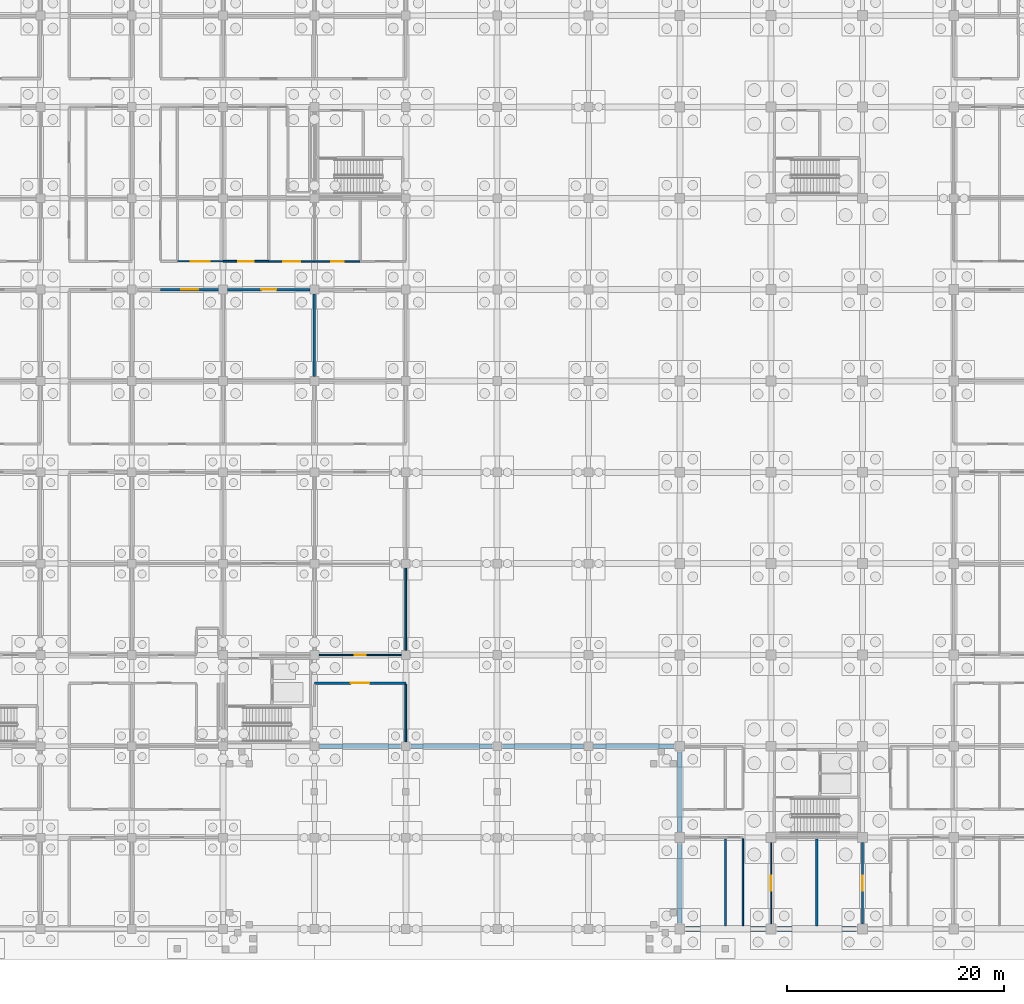
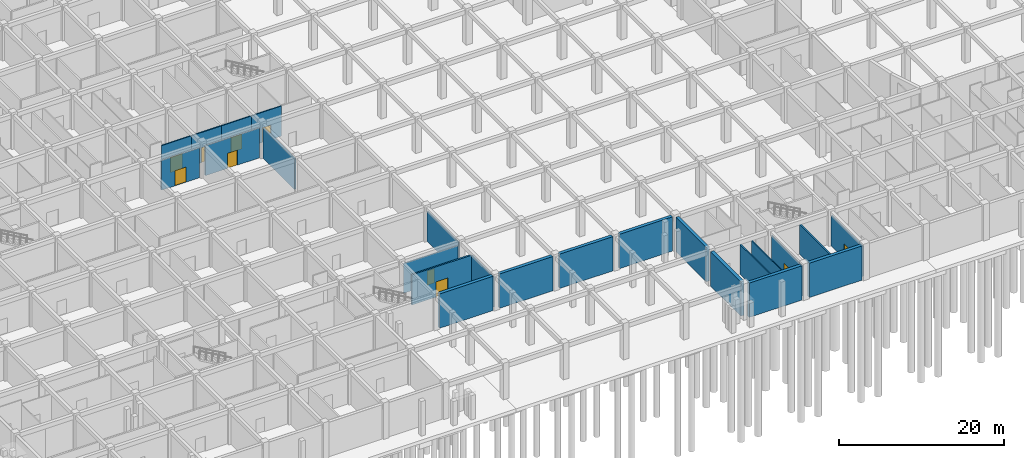
# One storey, part 32 of 65: 24 walls, 10 doors, 10 openings.
"""IFC4 building model written with IfcOpenShell, lengths in metres."""

from ifc_helpers import new_model, si_unit, direction, frame, frame_2d, origin, place, context, subcontext, project, spatial, rectangle, extrude, material, layer, layer_set, type_object, element, fill, save


model = new_model("IFC4")

# Units and contexts
model_context = context("Model", 3, precision=1e-05, world=origin(), true_north=direction((0.0, 1.0)))
body_context = subcontext(model_context, "Body", "Model", "MODEL_VIEW")
ifc_project = project(units=[si_unit("LENGTHUNIT", "METRE"), si_unit("AREAUNIT", "SQUARE_METRE"), si_unit("VOLUMEUNIT", "CUBIC_METRE"), si_unit("PLANEANGLEUNIT", "RADIAN"), si_unit("MASSUNIT", "GRAM", prefix="KILO")], contexts=[model_context])

# Site, building, storey
site_placement = place(None, origin())
site = spatial("IfcSite", under=ifc_project, at=site_placement, CompositionType="ELEMENT")
building_placement = place(site_placement, origin())
building = spatial("IfcBuilding", under=site, at=building_placement, Name="Bramfleet General Hospital", CompositionType="ELEMENT")
storey_placement = place(building_placement, frame((0.0, 0.0, -5.39990234375)))
storey = spatial("IfcBuildingStorey", under=building, at=storey_placement, Name="B1", CompositionType="ELEMENT", Elevation=-5.39990234375)

# Walls
ifc_material_1 = material(Name="Concrete C35/45", Category="concrete")
ifc_layer_1 = layer(ifc_material_1, 0.449951171875, Name="WT-EW-01")
ifc_layer_set_1 = layer_set([ifc_layer_1], Name="Concrete C35/45")
wall_type_1 = type_object("IfcWallType", Name="WT-EW-01", PredefinedType="SOLIDWALL", material=ifc_layer_set_1)
wall_1_placement = place(storey_placement, frame((108.675048828125, 0.0, 0.0), z_axis=(0.0, 0.0, 1.0), x_axis=(-1.0, 0.0, 0.0)))
element("IfcWall", 1, at=wall_1_placement, inside=storey, type_object=wall_type_1, Name="B1 Waterproof Retaining Wall 73", PredefinedType="SOLIDWALL", context=body_context, shape_type="SweptSolid", body=[
    extrude(rectangle(XDim=7.35009765625, YDim=0.449951171875, at=frame_2d((3.675048828125, 0.0))), origin(), (0.0, 0.0, 1.0), 5.079833984375),
])
wall_2_placement = place(storey_placement, frame((100.27490234375, 0.0, 0.0), z_axis=(0.0, 0.0, 1.0), x_axis=(-1.0, 0.0, 0.0)))
element("IfcWall", 2, at=wall_2_placement, inside=storey, type_object=wall_type_1, Name="B1 Waterproof Retaining Wall 74", PredefinedType="SOLIDWALL", context=body_context, shape_type="SweptSolid", body=[
    extrude(rectangle(XDim=7.349853515625, YDim=0.449951171875, at=frame_2d((3.6748046875, 0.0))), origin(), (0.0, 0.0, 1.0), 5.079833984375),
])
wall_3_placement = place(storey_placement, frame((92.39990234375, 0.52490234375, 0.0), z_axis=(0.0, 0.0, 1.0), x_axis=(0.0, 1.0, 0.0)))
element("IfcWall", 3, at=wall_3_placement, inside=storey, type_object=wall_type_1, Name="B1 Waterproof Retaining Wall 75", PredefinedType="SOLIDWALL", context=body_context, shape_type="SweptSolid", body=[
    extrude(rectangle(XDim=7.35009765625, YDim=0.449951171875, at=frame_2d((3.675048828125, 0.0))), origin(), (0.0, 0.0, 1.0), 5.079833984375),
])
wall_4_placement = place(storey_placement, frame((92.39990234375, 8.925048828125, 0.0), z_axis=(0.0, 0.0, 1.0), x_axis=(0.0, 1.0, 0.0)))
element("IfcWall", 4, at=wall_4_placement, inside=storey, type_object=wall_type_1, Name="B1 Waterproof Retaining Wall 76", PredefinedType="SOLIDWALL", context=body_context, shape_type="SweptSolid", body=[
    extrude(rectangle(XDim=7.349853515625, YDim=0.449951171875, at=frame_2d((3.6748046875, 0.0))), origin(), (0.0, 0.0, 1.0), 5.079833984375),
])
wall_5_placement = place(storey_placement, frame((91.875, 16.800048828125, 0.0), z_axis=(0.0, 0.0, 1.0), x_axis=(-1.0, 0.0, 0.0)))
element("IfcWall", 5, at=wall_5_placement, inside=storey, type_object=wall_type_1, Name="B1 Waterproof Retaining Wall 77", PredefinedType="SOLIDWALL", context=body_context, shape_type="SweptSolid", body=[
    extrude(rectangle(XDim=7.39990234375, YDim=0.449951171875, at=frame_2d((3.699951171875, 0.0))), origin(), (0.0, 0.0, 1.0), 5.079833984375),
])
for number, where, z_axis, x_axis, name in (
    (6, (83.52490234375, 16.800048828125, 0.0), (0.0, 0.0, 1.0), (-1.0, 0.0, 0.0), "B1 Waterproof Retaining Wall 78"),
    (7, (75.125, 16.800048828125, 0.0), (0.0, 0.0, 1.0), (-1.0, 0.0, 0.0), "B1 Waterproof Retaining Wall 79"),
):
    element("IfcWall", number, at=place(storey_placement, frame(where, z_axis=z_axis, x_axis=x_axis)), inside=storey, type_object=wall_type_1, Name=name, PredefinedType="SOLIDWALL", context=body_context, shape_type="SweptSolid", body=[
        extrude(rectangle(XDim=7.449951171875, YDim=0.449951171875, at=frame_2d((3.72509765625, 0.0))), origin(), (0.0, 0.0, 1.0), 5.079833984375),
    ])
wall_6_placement = place(storey_placement, frame((66.72509765625, 16.800048828125, 0.0), z_axis=(0.0, 0.0, 1.0), x_axis=(-1.0, 0.0, 0.0)))
element("IfcWall", 8, at=wall_6_placement, inside=storey, type_object=wall_type_1, Name="B1 Waterproof Retaining Wall 80", PredefinedType="SOLIDWALL", context=body_context, shape_type="SweptSolid", body=[
    extrude(rectangle(XDim=7.4501953125, YDim=0.449951171875, at=frame_2d((3.72509765625, 0.0))), origin(), (0.0, 0.0, 1.0), 5.079833984375),
])

# Wall, opening, door
ifc_layer_2 = layer(ifc_material_1, 0.219970703125, Name="WT-IW-01")
ifc_layer_set_2 = layer_set([ifc_layer_2], Name="Concrete C35/45")
wall_type_2 = type_object("IfcWallType", Name="WT-IW-01", PredefinedType="PARTITIONING", material=ifc_layer_set_2)
wall_7_placement = place(storey_placement, frame((58.800048828125, 22.60009765625, 0.0), z_axis=(0.0, 0.0, 1.0), x_axis=(1.0, 0.0, 0.0)))
wall_7 = element("IfcWall", 9, at=wall_7_placement, inside=storey, type_object=wall_type_2, Name="B1 Interior Partition IW-B1-0085", PredefinedType="PARTITIONING", context=body_context, shape_type="SweptSolid", body=[
    extrude(rectangle(XDim=8.39990234375, YDim=0.219970703125, at=frame_2d((4.199951171875, 0.0))), origin(), (0.0, 0.0, 1.0), 4.469970703125),
])
opening_1_placement = place(wall_7_placement, frame((3.35009765625, 0.0, 0.0)))
opening_1 = element("IfcOpeningElement", 10, at=opening_1_placement, cuts=wall_7, Name="Opening D0295", PredefinedType="OPENING", context=body_context, shape_type="SweptSolid", body=[
    extrude(rectangle(XDim=1.699951171875, YDim=2.25, at=frame_2d((0.85009765625, 1.125))), frame((0.0, 0.119873046875, 0.0), z_axis=(0.0, -1.0, 0.0), x_axis=(1.0, 0.0, 0.0)), (0.0, 0.0, 1.0), 0.239990234375),
])
ifc_material_2 = material(Name="Stainless steel and acoustic timber leaf", Category="steel")
door_type_1 = type_object("IfcDoorType", Name="DR-D-07", OperationType="NOTDEFINED", PredefinedType="DOOR", material=ifc_material_2)
door_1_placement = place(opening_1_placement, origin())
door_1 = element("IfcDoor", 11, at=door_1_placement, inside=storey, type_object=door_type_1, Name="Hospital Pharmacy Clean Preparation B1-0702 Door D0295", OperationType="DOUBLE_SWING_RIGHT", OverallHeight=2.25, OverallWidth=1.699951171875, PredefinedType="DOOR", context=body_context, shape_type="SweptSolid", body=[
    extrude(rectangle(XDim=1.699951171875, YDim=2.25, at=frame_2d((0.85009765625, 1.125))), frame((0.0, 0.02490234375, 0.0), z_axis=(0.0, -1.0, 0.0), x_axis=(1.0, 0.0, 0.0)), (0.0, 0.0, 1.0), 0.050048828125),
])
fill(opening_1, door_1)

wall_8_placement = place(storey_placement, frame((44.64990234375, 58.800048828125, 0.0), z_axis=(0.0, 0.0, 1.0), x_axis=(1.0, 0.0, 0.0)))
wall_8 = element("IfcWall", 12, at=wall_8_placement, inside=storey, type_object=wall_type_2, Name="B1 Interior Partition IW-B1-0157", PredefinedType="PARTITIONING", context=body_context, shape_type="SweptSolid", body=[
    extrude(rectangle(XDim=5.35498046875, YDim=0.219970703125, at=frame_2d((2.677490234375, 0.0))), origin(), (0.0, 0.0, 1.0), 4.419921875),
])
opening_2_placement = place(wall_8_placement, frame((1.907470703125, 0.0, 0.0)))
opening_2 = element("IfcOpeningElement", 13, at=opening_2_placement, cuts=wall_8, Name="Opening D0273", PredefinedType="OPENING", context=body_context, shape_type="SweptSolid", body=[
    extrude(rectangle(XDim=1.5400390625, YDim=2.239990234375, at=frame_2d((0.77001953125, 1.1201171875))), frame((0.0, 0.119873046875, 0.0), z_axis=(0.0, -1.0, 0.0), x_axis=(1.0, 0.0, 0.0)), (0.0, 0.0, 1.0), 0.239990234375),
])
door_type_2 = type_object("IfcDoorType", Name="DR-D-17", OperationType="NOTDEFINED", PredefinedType="DOOR", material=ifc_material_2)
door_2_placement = place(opening_2_placement, origin())
door_2 = element("IfcDoor", 14, at=door_2_placement, inside=storey, type_object=door_type_2, Name="Central Sterile Supply Room B1-0506 Door D0273", OperationType="SINGLE_SWING_RIGHT", OverallHeight=2.239990234375, OverallWidth=1.5400390625, PredefinedType="DOOR", context=body_context, shape_type="SweptSolid", body=[
    extrude(rectangle(XDim=1.5400390625, YDim=2.239990234375, at=frame_2d((0.77001953125, 1.1201171875))), frame((0.0, 0.02490234375, 0.0), z_axis=(0.0, -1.0, 0.0), x_axis=(1.0, 0.0, 0.0)), (0.0, 0.0, 1.0), 0.050048828125),
])
fill(opening_2, door_2)

wall_9_placement = place(storey_placement, frame((50.794921875, 58.800048828125, 0.0), z_axis=(0.0, 0.0, 1.0), x_axis=(1.0, 0.0, 0.0)))
wall_9 = element("IfcWall", 15, at=wall_9_placement, inside=storey, type_object=wall_type_2, Name="B1 Interior Partition IW-B1-0158", PredefinedType="PARTITIONING", context=body_context, shape_type="SweptSolid", body=[
    extrude(rectangle(XDim=7.610107421875, YDim=0.219970703125, at=frame_2d((3.80517578125, 0.0))), origin(), (0.0, 0.0, 1.0), 4.419921875),
])
opening_3_placement = place(wall_9_placement, frame((3.114990234375, 0.0, 0.0)))
opening_3 = element("IfcOpeningElement", 16, at=opening_3_placement, cuts=wall_9, Name="Opening D0286", PredefinedType="OPENING", context=body_context, shape_type="SweptSolid", body=[
    extrude(rectangle(XDim=1.3798828125, YDim=2.219970703125, at=frame_2d((0.68994140625, 1.10986328125))), frame((0.0, 0.119873046875, 0.0), z_axis=(0.0, -1.0, 0.0), x_axis=(1.0, 0.0, 0.0)), (0.0, 0.0, 1.0), 0.239990234375),
])
door_type_3 = type_object("IfcDoorType", Name="DR-D-30", OperationType="NOTDEFINED", PredefinedType="DOOR", material=ifc_material_2)
door_3_placement = place(opening_3_placement, origin())
door_3 = element("IfcDoor", 17, at=door_3_placement, inside=storey, type_object=door_type_3, Name="Central Sterile Supply Room B1-0606 Door D0286", OperationType="SINGLE_SWING_LEFT", OverallHeight=2.219970703125, OverallWidth=1.3798828125, PredefinedType="DOOR", context=body_context, shape_type="SweptSolid", body=[
    extrude(rectangle(XDim=1.3798828125, YDim=2.219970703125, at=frame_2d((0.68994140625, 1.10986328125))), frame((0.0, 0.02490234375, 0.0), z_axis=(0.0, -1.0, 0.0), x_axis=(1.0, 0.0, 0.0)), (0.0, 0.0, 1.0), 0.050048828125),
])
fill(opening_3, door_3)

# Walls
wall_10_placement = place(storey_placement, frame((58.800048828125, 50.794921875, 0.0), z_axis=(0.0, 0.0, 1.0), x_axis=(0.0, 1.0, 0.0)))
element("IfcWall", 18, at=wall_10_placement, inside=storey, type_object=wall_type_2, Name="B1 Interior Partition IW-B1-0465", PredefinedType="PARTITIONING", context=body_context, shape_type="SweptSolid", body=[
    extrude(rectangle(XDim=7.610107421875, YDim=0.219970703125, at=frame_2d((3.80517578125, 0.0))), origin(), (0.0, 0.0, 1.0), 4.469970703125),
])
ifc_layer_3 = layer(ifc_material_1, 0.205078125, Name="WT-IW-02")
ifc_layer_set_3 = layer_set([ifc_layer_3], Name="Concrete C35/45")
wall_type_3 = type_object("IfcWallType", Name="WT-IW-02", PredefinedType="PARTITIONING", material=ifc_layer_set_3)
wall_11_placement = place(storey_placement, frame((105.0, 0.280029296875, 0.0), z_axis=(0.0, 0.0, 1.0), x_axis=(0.0, 1.0, 0.0)))
element("IfcWall", 19, at=wall_11_placement, inside=storey, type_object=wall_type_3, Name="B1 Interior Partition IW-B1-0506", PredefinedType="PARTITIONING", context=body_context, shape_type="SweptSolid", body=[
    extrude(rectangle(XDim=8.0048828125, YDim=0.205078125, at=frame_2d((4.00244140625, 0.0))), origin(), (0.0, 0.0, 1.0), 4.419921875),
])
ifc_layer_4 = layer(ifc_material_1, 0.18994140625, Name="WT-IW-03")
ifc_layer_set_4 = layer_set([ifc_layer_4], Name="Concrete C35/45")
wall_type_4 = type_object("IfcWallType", Name="WT-IW-03", PredefinedType="PARTITIONING", material=ifc_layer_set_4)
wall_12_placement = place(storey_placement, frame((96.60009765625, 0.280029296875, 0.0), z_axis=(0.0, 0.0, 1.0), x_axis=(0.0, 1.0, 0.0)))
element("IfcWall", 20, at=wall_12_placement, inside=storey, type_object=wall_type_4, Name="B1 Interior Partition IW-B1-0495", PredefinedType="PARTITIONING", context=body_context, shape_type="SweptSolid", body=[
    extrude(rectangle(XDim=8.0048828125, YDim=0.18994140625, at=frame_2d((4.00244140625, 0.0))), origin(), (0.0, 0.0, 1.0), 4.419921875),
])

# Wall, opening, door
ifc_layer_5 = layer(ifc_material_1, 0.179931640625, Name="WT-IW-04")
ifc_layer_set_5 = layer_set([ifc_layer_5], Name="Concrete C35/45")
wall_type_5 = type_object("IfcWallType", Name="WT-IW-04", PredefinedType="PARTITIONING", material=ifc_layer_set_5)
wall_13_placement = place(storey_placement, frame((109.199951171875, 0.445068359375, 0.0), z_axis=(0.0, 0.0, 1.0), x_axis=(0.0, 1.0, 0.0)))
wall_13 = element("IfcWall", 21, at=wall_13_placement, inside=storey, type_object=wall_type_5, Name="B1 Interior Partition IW-B1-0508", PredefinedType="PARTITIONING", context=body_context, shape_type="SweptSolid", body=[
    extrude(rectangle(XDim=7.510009765625, YDim=0.179931640625, at=frame_2d((3.7548828125, 0.0))), origin(), (0.0, 0.0, 1.0), 4.469970703125),
])
opening_4_placement = place(wall_13_placement, frame((3.080078125, 0.0, 0.0)))
opening_4 = element("IfcOpeningElement", 22, at=opening_4_placement, cuts=wall_13, Name="Opening D0322", PredefinedType="OPENING", context=body_context, shape_type="SweptSolid", body=[
    extrude(rectangle(XDim=1.35009765625, YDim=2.199951171875, at=frame_2d((0.675048828125, 1.10009765625))), frame((0.0, 0.099853515625, 0.0), z_axis=(0.0, -1.0, 0.0), x_axis=(1.0, 0.0, 0.0)), (0.0, 0.0, 1.0), 0.199951171875),
])
door_type_4 = type_object("IfcDoorType", Name="DR-D-02", OperationType="NOTDEFINED", PredefinedType="DOOR", material=ifc_material_2)
door_4_placement = place(opening_4_placement, origin())
door_4 = element("IfcDoor", 23, at=door_4_placement, inside=storey, type_object=door_type_4, Name="Clinical Engineering Workshop B1-1200 Door D0322", OperationType="SINGLE_SWING_LEFT", OverallHeight=2.199951171875, OverallWidth=1.35009765625, PredefinedType="DOOR", context=body_context, shape_type="SweptSolid", body=[
    extrude(rectangle(XDim=1.35009765625, YDim=2.199951171875, at=frame_2d((0.675048828125, 1.10009765625))), frame((0.0, 0.02490234375, 0.0), z_axis=(0.0, -1.0, 0.0), x_axis=(1.0, 0.0, 0.0)), (0.0, 0.0, 1.0), 0.050048828125),
])
fill(opening_4, door_4)

ifc_material_3 = material(Name="Gypsum plasterboard on acoustic steel studs", Category="steel")
ifc_layer_6 = layer(ifc_material_3, 0.169921875, Name="WT-IW-05")
ifc_layer_set_6 = layer_set([ifc_layer_6], Name="Gypsum plasterboard on acoustic steel studs")
wall_type_6 = type_object("IfcWallType", Name="WT-IW-05", PredefinedType="PARTITIONING", material=ifc_layer_set_6)
wall_14_placement = place(storey_placement, frame((46.199951171875, 61.39990234375, 0.0), z_axis=(0.0, 0.0, 1.0), x_axis=(1.0, 0.0, 0.0)))
wall_14 = element("IfcWall", 24, at=wall_14_placement, inside=storey, type_object=wall_type_6, Name="B1 Interior Partition IW-B1-0173", PredefinedType="PARTITIONING", context=body_context, shape_type="SweptSolid", body=[
    extrude(rectangle(XDim=4.199951171875, YDim=0.169921875, at=frame_2d((2.10009765625, 0.0))), origin(), (0.0, 0.0, 1.0), 4.469970703125),
])
opening_5_placement = place(wall_14_placement, frame((1.22998046875, 0.0, 0.0)))
opening_5 = element("IfcOpeningElement", 25, at=opening_5_placement, cuts=wall_14, Name="Opening D0275", PredefinedType="OPENING", context=body_context, shape_type="SweptSolid", body=[
    extrude(rectangle(XDim=1.739990234375, YDim=2.239990234375, at=frame_2d((0.8701171875, 1.1201171875))), frame((0.0, 0.094970703125, 0.0), z_axis=(0.0, -1.0, 0.0), x_axis=(1.0, 0.0, 0.0)), (0.0, 0.0, 1.0), 0.18994140625),
])
door_type_5 = type_object("IfcDoorType", Name="DR-D-19", OperationType="NOTDEFINED", PredefinedType="DOOR", material=ifc_material_2)
door_5_placement = place(opening_5_placement, origin())
door_5 = element("IfcDoor", 26, at=door_5_placement, inside=storey, type_object=door_type_5, Name="Clinical Engineering Workshop B1-0507 Door D0275", OperationType="DOUBLE_SWING_RIGHT", OverallHeight=2.239990234375, OverallWidth=1.739990234375, PredefinedType="DOOR", context=body_context, shape_type="SweptSolid", body=[
    extrude(rectangle(XDim=1.739990234375, YDim=2.239990234375, at=frame_2d((0.8701171875, 1.1201171875))), frame((0.0, 0.02490234375, 0.0), z_axis=(0.0, -1.0, 0.0), x_axis=(1.0, 0.0, 0.0)), (0.0, 0.0, 1.0), 0.050048828125),
])
fill(opening_5, door_5)

ifc_layer_7 = layer(ifc_material_3, 0.159912109375, Name="WT-IW-06")
ifc_layer_set_7 = layer_set([ifc_layer_7], Name="Gypsum plasterboard on acoustic steel studs")
wall_type_7 = type_object("IfcWallType", Name="WT-IW-06", PredefinedType="PARTITIONING", material=ifc_layer_set_7)
wall_15_placement = place(storey_placement, frame((50.39990234375, 61.39990234375, 0.0), z_axis=(0.0, 0.0, 1.0), x_axis=(1.0, 0.0, 0.0)))
wall_15 = element("IfcWall", 27, at=wall_15_placement, inside=storey, type_object=wall_type_7, Name="B1 Interior Partition IW-B1-0174", PredefinedType="PARTITIONING", context=body_context, shape_type="SweptSolid", body=[
    extrude(rectangle(XDim=4.2001953125, YDim=0.159912109375, at=frame_2d((2.10009765625, 0.0))), origin(), (0.0, 0.0, 1.0), 4.469970703125),
])
opening_6_placement = place(wall_15_placement, frame((1.389892578125, 0.0, 0.0)))
opening_6 = element("IfcOpeningElement", 28, at=opening_6_placement, cuts=wall_15, Name="Opening D0287", PredefinedType="OPENING", context=body_context, shape_type="SweptSolid", body=[
    extrude(rectangle(XDim=1.419921875, YDim=2.219970703125, at=frame_2d((0.7099609375, 1.10986328125))), frame((0.0, 0.08984375, 0.0), z_axis=(0.0, -1.0, 0.0), x_axis=(1.0, 0.0, 0.0)), (0.0, 0.0, 1.0), 0.179931640625),
])
door_type_6 = type_object("IfcDoorType", Name="DR-D-31", OperationType="NOTDEFINED", PredefinedType="DOOR", material=ifc_material_2)
door_6_placement = place(opening_6_placement, origin())
door_6 = element("IfcDoor", 29, at=door_6_placement, inside=storey, type_object=door_type_6, Name="Clean Medical Supply Store B1-0607 Door D0287", OperationType="SINGLE_SWING_RIGHT", OverallHeight=2.219970703125, OverallWidth=1.419921875, PredefinedType="DOOR", context=body_context, shape_type="SweptSolid", body=[
    extrude(rectangle(XDim=1.419921875, YDim=2.219970703125, at=frame_2d((0.7099609375, 1.10986328125))), frame((0.0, 0.02490234375, 0.0), z_axis=(0.0, -1.0, 0.0), x_axis=(1.0, 0.0, 0.0)), (0.0, 0.0, 1.0), 0.050048828125),
])
fill(opening_6, door_6)

# Wall
wall_16_placement = place(storey_placement, frame((67.199951171875, 17.195068359375, 0.0), z_axis=(0.0, 0.0, 1.0), x_axis=(0.0, 1.0, 0.0)))
element("IfcWall", 30, at=wall_16_placement, inside=storey, type_object=wall_type_7, Name="B1 Interior Partition IW-B1-0474", PredefinedType="PARTITIONING", context=body_context, shape_type="SweptSolid", body=[
    extrude(rectangle(XDim=5.2900390625, YDim=0.159912109375, at=frame_2d((2.64501953125, 0.0))), origin(), (0.0, 0.0, 1.0), 4.469970703125),
])

# Wall, opening, door
ifc_layer_8 = layer(ifc_material_3, 0.14990234375, Name="WT-IW-07")
ifc_layer_set_8 = layer_set([ifc_layer_8], Name="Gypsum plasterboard on acoustic steel studs")
wall_type_8 = type_object("IfcWallType", Name="WT-IW-07", PredefinedType="PARTITIONING", material=ifc_layer_set_8)
wall_17_placement = place(storey_placement, frame((54.60009765625, 61.39990234375, 0.0), z_axis=(0.0, 0.0, 1.0), x_axis=(1.0, 0.0, 0.0)))
wall_17 = element("IfcWall", 31, at=wall_17_placement, inside=storey, type_object=wall_type_8, Name="B1 Interior Partition IW-B1-0175", PredefinedType="PARTITIONING", context=body_context, shape_type="SweptSolid", body=[
    extrude(rectangle(XDim=4.199951171875, YDim=0.14990234375, at=frame_2d((2.10009765625, 0.0))), origin(), (0.0, 0.0, 1.0), 4.469970703125),
])
opening_7_placement = place(wall_17_placement, frame((1.31005859375, 0.0, 0.0)))
opening_7 = element("IfcOpeningElement", 32, at=opening_7_placement, cuts=wall_17, Name="Opening D0288", PredefinedType="OPENING", context=body_context, shape_type="SweptSolid", body=[
    extrude(rectangle(XDim=1.580078125, YDim=2.219970703125, at=frame_2d((0.7900390625, 1.10986328125))), frame((0.0, 0.0849609375, 0.0), z_axis=(0.0, -1.0, 0.0), x_axis=(1.0, 0.0, 0.0)), (0.0, 0.0, 1.0), 0.169921875),
])
door_type_7 = type_object("IfcDoorType", Name="DR-D-32", OperationType="NOTDEFINED", PredefinedType="DOOR", material=ifc_material_2)
door_7_placement = place(opening_7_placement, origin())
door_7 = element("IfcDoor", 33, at=door_7_placement, inside=storey, type_object=door_type_7, Name="Clinical Engineering Workshop B1-0607 Door D0288", OperationType="DOUBLE_SWING_LEFT", OverallHeight=2.219970703125, OverallWidth=1.580078125, PredefinedType="DOOR", context=body_context, shape_type="SweptSolid", body=[
    extrude(rectangle(XDim=1.580078125, YDim=2.219970703125, at=frame_2d((0.7900390625, 1.10986328125))), frame((0.0, 0.02490234375, 0.0), z_axis=(0.0, -1.0, 0.0), x_axis=(1.0, 0.0, 0.0)), (0.0, 0.0, 1.0), 0.050048828125),
])
fill(opening_7, door_7)

# Walls
wall_18_placement = place(storey_placement, frame((67.199951171875, 25.594970703125, 0.0), z_axis=(0.0, 0.0, 1.0), x_axis=(0.0, 1.0, 0.0)))
element("IfcWall", 34, at=wall_18_placement, inside=storey, type_object=wall_type_8, Name="B1 Interior Partition IW-B1-0475", PredefinedType="PARTITIONING", context=body_context, shape_type="SweptSolid", body=[
    extrude(rectangle(XDim=7.610107421875, YDim=0.14990234375, at=frame_2d((3.80517578125, 0.0))), origin(), (0.0, 0.0, 1.0), 4.469970703125),
])
wall_19_placement = place(storey_placement, frame((98.199951171875, 0.280029296875, 0.0), z_axis=(0.0, 0.0, 1.0), x_axis=(0.0, 1.0, 0.0)))
element("IfcWall", 35, at=wall_19_placement, inside=storey, type_object=wall_type_8, Name="B1 Interior Partition IW-B1-0499", PredefinedType="PARTITIONING", context=body_context, shape_type="SweptSolid", body=[
    extrude(rectangle(XDim=8.0048828125, YDim=0.14990234375, at=frame_2d((4.00244140625, 0.0))), origin(), (0.0, 0.0, 1.0), 4.419921875),
])

# Wall, opening, door
ifc_layer_9 = layer(ifc_material_3, 0.139892578125, Name="WT-IW-08")
ifc_layer_set_9 = layer_set([ifc_layer_9], Name="Gypsum plasterboard on acoustic steel studs")
wall_type_9 = type_object("IfcWallType", Name="WT-IW-08", PredefinedType="PARTITIONING", material=ifc_layer_set_9)
wall_20_placement = place(storey_placement, frame((58.800048828125, 61.39990234375, 0.0), z_axis=(0.0, 0.0, 1.0), x_axis=(1.0, 0.0, 0.0)))
wall_20 = element("IfcWall", 36, at=wall_20_placement, inside=storey, type_object=wall_type_9, Name="B1 Interior Partition IW-B1-0176", PredefinedType="PARTITIONING", context=body_context, shape_type="SweptSolid", body=[
    extrude(rectangle(XDim=4.199951171875, YDim=0.139892578125, at=frame_2d((2.10009765625, 0.0))), origin(), (0.0, 0.0, 1.0), 4.469970703125),
])
opening_8_placement = place(wall_20_placement, frame((1.52490234375, 0.0, 0.0)))
opening_8 = element("IfcOpeningElement", 37, at=opening_8_placement, cuts=wall_20, Name="Opening D0300", PredefinedType="OPENING", context=body_context, shape_type="SweptSolid", body=[
    extrude(rectangle(XDim=1.14990234375, YDim=2.14990234375, at=frame_2d((0.574951171875, 1.074951171875))), frame((0.0, 0.079833984375, 0.0), z_axis=(0.0, -1.0, 0.0), x_axis=(1.0, 0.0, 0.0)), (0.0, 0.0, 1.0), 0.159912109375),
])
door_type_8 = type_object("IfcDoorType", Name="DR-D-12", OperationType="NOTDEFINED", PredefinedType="DOOR", material=ifc_material_2)
door_8_placement = place(opening_8_placement, origin())
door_8 = element("IfcDoor", 38, at=door_8_placement, inside=storey, type_object=door_type_8, Name="Clean Medical Supply Store B1-0707 Door D0300", OperationType="SINGLE_SWING_LEFT", OverallHeight=2.14990234375, OverallWidth=1.14990234375, PredefinedType="DOOR", context=body_context, shape_type="SweptSolid", body=[
    extrude(rectangle(XDim=1.14990234375, YDim=2.14990234375, at=frame_2d((0.574951171875, 1.074951171875))), frame((0.0, 0.02490234375, 0.0), z_axis=(0.0, -1.0, 0.0), x_axis=(1.0, 0.0, 0.0)), (0.0, 0.0, 1.0), 0.050048828125),
])
fill(opening_8, door_8)

ifc_layer_10 = layer(ifc_material_3, 0.112060546875, Name="WT-IW-11")
ifc_layer_set_10 = layer_set([ifc_layer_10], Name="Gypsum plasterboard on acoustic steel studs")
wall_type_10 = type_object("IfcWallType", Name="WT-IW-11", PredefinedType="PARTITIONING", material=ifc_layer_set_10)
wall_21_placement = place(storey_placement, frame((59.195068359375, 25.199951171875, 0.0), z_axis=(0.0, 0.0, 1.0), x_axis=(1.0, 0.0, 0.0)))
wall_21 = element("IfcWall", 39, at=wall_21_placement, inside=storey, type_object=wall_type_10, Name="B1 Interior Partition IW-B1-0107", PredefinedType="PARTITIONING", context=body_context, shape_type="SweptSolid", body=[
    extrude(rectangle(XDim=7.60986328125, YDim=0.112060546875, at=frame_2d((3.804931640625, 0.0))), origin(), (0.0, 0.0, 1.0), 4.419921875),
])
opening_9_placement = place(wall_21_placement, frame((3.304931640625, 0.0, 0.0)))
opening_9 = element("IfcOpeningElement", 40, at=opening_9_placement, cuts=wall_21, Name="Opening D0296", PredefinedType="OPENING", context=body_context, shape_type="SweptSolid", body=[
    extrude(rectangle(XDim=1.0, YDim=2.14990234375, at=frame_2d((0.5, 1.074951171875))), frame((0.0, 0.06591796875, 0.0), z_axis=(0.0, -1.0, 0.0), x_axis=(1.0, 0.0, 0.0)), (0.0, 0.0, 1.0), 0.132080078125),
])
door_type_9 = type_object("IfcDoorType", Name="DR-D-08", OperationType="NOTDEFINED", PredefinedType="DOOR", material=ifc_material_2)
door_9_placement = place(opening_9_placement, origin())
door_9 = element("IfcDoor", 41, at=door_9_placement, inside=storey, type_object=door_type_9, Name="Hospital Pharmacy Clean Preparation B1-0703 Door D0296", OperationType="SINGLE_SWING_LEFT", OverallHeight=2.14990234375, OverallWidth=1.0, PredefinedType="DOOR", context=body_context, shape_type="SweptSolid", body=[
    extrude(rectangle(XDim=1.0, YDim=2.14990234375, at=frame_2d((0.5, 1.074951171875))), frame((0.0, 0.02490234375, 0.0), z_axis=(0.0, -1.0, 0.0), x_axis=(1.0, 0.0, 0.0)), (0.0, 0.0, 1.0), 0.050048828125),
])
fill(opening_9, door_9)

ifc_layer_11 = layer(ifc_material_3, 0.10009765625, Name="WT-IW-12")
ifc_layer_set_11 = layer_set([ifc_layer_11], Name="Gypsum plasterboard on acoustic steel studs")
wall_type_11 = type_object("IfcWallType", Name="WT-IW-12", PredefinedType="PARTITIONING", material=ifc_layer_set_11)
wall_22_placement = place(storey_placement, frame((100.800048828125, 0.445068359375, 0.0), z_axis=(0.0, 0.0, 1.0), x_axis=(0.0, 1.0, 0.0)))
wall_22 = element("IfcWall", 42, at=wall_22_placement, inside=storey, type_object=wall_type_11, Name="B1 Interior Partition IW-B1-0504", PredefinedType="PARTITIONING", context=body_context, shape_type="SweptSolid", body=[
    extrude(rectangle(XDim=7.510009765625, YDim=0.10009765625, at=frame_2d((3.7548828125, 0.0))), origin(), (0.0, 0.0, 1.0), 4.469970703125),
])
opening_10_placement = place(wall_22_placement, frame((3.054931640625, 0.0, 0.0)))
opening_10 = element("IfcOpeningElement", 43, at=opening_10_placement, cuts=wall_22, Name="Opening D0321", PredefinedType="OPENING", context=body_context, shape_type="SweptSolid", body=[
    extrude(rectangle(XDim=1.39990234375, YDim=2.199951171875, at=frame_2d((0.699951171875, 1.10009765625))), frame((0.0, 0.06005859375, 0.0), z_axis=(0.0, -1.0, 0.0), x_axis=(1.0, 0.0, 0.0)), (0.0, 0.0, 1.0), 0.1201171875),
])
door_type_10 = type_object("IfcDoorType", Name="DR-D-01", OperationType="NOTDEFINED", PredefinedType="DOOR", material=ifc_material_2)
door_10_placement = place(opening_10_placement, origin())
door_10 = element("IfcDoor", 44, at=door_10_placement, inside=storey, type_object=door_type_10, Name="Clean Medical Supply Store B1-1200 Door D0321", OperationType="SINGLE_SWING_RIGHT", OverallHeight=2.199951171875, OverallWidth=1.39990234375, PredefinedType="DOOR", context=body_context, shape_type="SweptSolid", body=[
    extrude(rectangle(XDim=1.39990234375, YDim=2.199951171875, at=frame_2d((0.699951171875, 1.10009765625))), frame((0.0, 0.02490234375, 0.0), z_axis=(0.0, -1.0, 0.0), x_axis=(1.0, 0.0, 0.0)), (0.0, 0.0, 1.0), 0.050048828125),
])
fill(opening_10, door_10)

save(model, "model.ifc")
